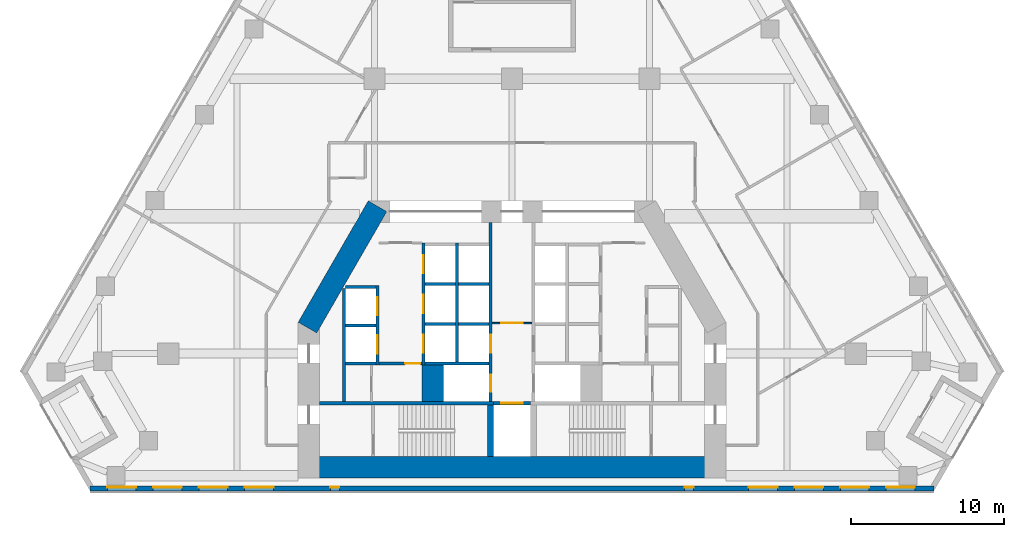
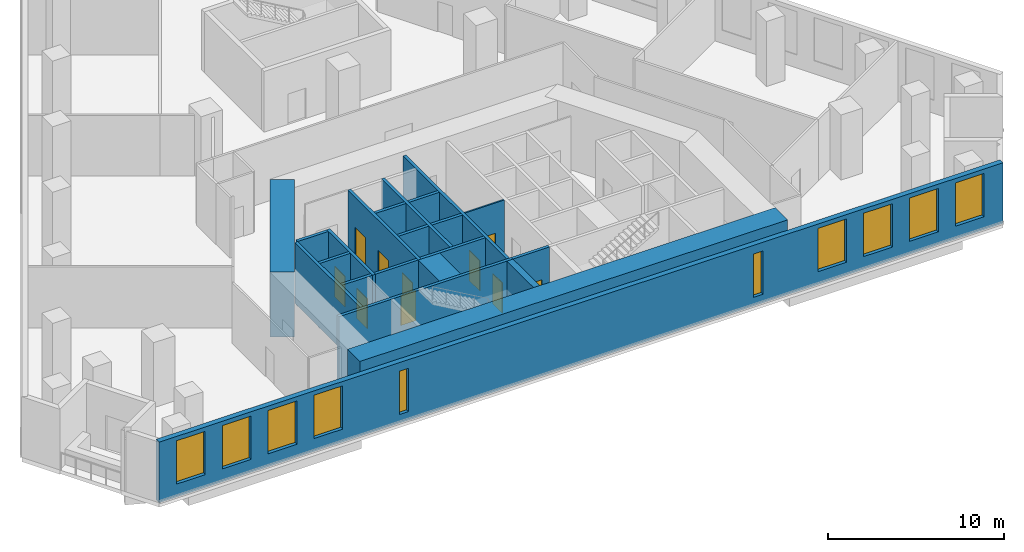
# One storey, part 4 of 10: 22 walls, 10 doors, 10 windows, 20 openings.
"""IFC4 building model written with IfcOpenShell, lengths in metres."""

from ifc_helpers import new_model, si_unit, direction, frame, frame_2d, origin, place, context, subcontext, project, spatial, rectangle, extrude, material, layer, layer_set, type_object, element, fill, save


model = new_model("IFC4")

# Units and contexts
model_context = context("Model", 3, precision=1e-05, world=origin(), true_north=direction((0.0, 1.0)))
body_context = subcontext(model_context, "Body", "Model", "MODEL_VIEW")
ifc_project = project(units=[si_unit("LENGTHUNIT", "METRE"), si_unit("AREAUNIT", "SQUARE_METRE"), si_unit("VOLUMEUNIT", "CUBIC_METRE"), si_unit("PLANEANGLEUNIT", "RADIAN"), si_unit("MASSUNIT", "GRAM", prefix="KILO")], contexts=[model_context])

# Site, building, storey
site_placement = place(None, origin())
site = spatial("IfcSite", under=ifc_project, at=site_placement, CompositionType="ELEMENT")
building_placement = place(site_placement, origin())
building = spatial("IfcBuilding", under=site, at=building_placement, Name="Fogline Exchange Tower", CompositionType="ELEMENT")
storey_placement = place(building_placement, frame((0.0, 0.0, 38.5)))
storey = spatial("IfcBuildingStorey", under=building, at=storey_placement, Name="L07", CompositionType="ELEMENT", Elevation=38.5)

# Wall, opening, door
ifc_material_1 = material(Name="Blockwork partition", Category="masonry")
ifc_layer_1 = layer(ifc_material_1, 0.10009765625)
ifc_layer_set_1 = layer_set([ifc_layer_1], Name="CW10")
wall_type_1 = type_object("IfcWallType", Name="CW10", PredefinedType="PARTITIONING", material=ifc_layer_set_1)
wall_1_placement = place(storey_placement, frame((-1.300048828125, 11.0, 0.0), z_axis=(0.0, 0.0, 1.0), x_axis=(1.0, 0.0, 0.0)))
wall_1 = element("IfcWall", 1, at=wall_1_placement, inside=storey, type_object=wall_type_1, Name="Lift lobby partition", PredefinedType="PARTITIONING", context=body_context, shape_type="SweptSolid", body=[
    extrude(rectangle(XDim=2.60009765625, YDim=0.10009765625, at=frame_2d((1.300048828125, 0.0))), origin(), (0.0, 0.0, 1.0), 4.199951171875),
])
opening_1_placement = place(wall_1_placement, frame((0.60009765625, 0.0, 0.0)))
opening_1 = element("IfcOpeningElement", 2, at=opening_1_placement, cuts=wall_1, Name="Opening T02-C019", PredefinedType="OPENING", context=body_context, shape_type="SweptSolid", body=[
    extrude(rectangle(XDim=1.39990234375, YDim=2.10009765625, at=frame_2d((0.699951171875, 1.050048828125))), frame((0.0, 0.06005859375, 0.0), z_axis=(0.0, -1.0, 0.0), x_axis=(1.0, 0.0, 0.0)), (0.0, 0.0, 1.0), 0.1201171875),
])
ifc_material_2 = material(Name="Steel and timber fire door", Category="steel")
door_type_1 = type_object("IfcDoorType", Name="D-LB1", OperationType="DOUBLE_DOOR_SINGLE_SWING", PredefinedType="DOOR", material=ifc_material_2)
door_1_placement = place(opening_1_placement, frame((1.39990234375, 0.0, 0.0), z_axis=(0.0, 0.0, 1.0), x_axis=(-1.0, 0.0, 0.0)))
door_1 = element("IfcDoor", 3, at=door_1_placement, inside=storey, type_object=door_type_1, Name="Door to firefighting lift lobby", OperationType="DOUBLE_DOOR_SINGLE_SWING", OverallHeight=2.10009765625, OverallWidth=1.39990234375, PredefinedType="DOOR", context=body_context, shape_type="SweptSolid", body=[
    extrude(rectangle(XDim=1.39990234375, YDim=2.10009765625, at=frame_2d((0.699951171875, 1.050048828125))), frame((0.0, 0.02490234375, 0.0), z_axis=(0.0, -1.0, 0.0), x_axis=(1.0, 0.0, 0.0)), (0.0, 0.0, 1.0), 0.050048828125),
])
fill(opening_1, door_1)

# Walls
ifc_material_3 = material(Name="Concrete C60", Category="concrete")
ifc_layer_2 = layer(ifc_material_3, 1.39990234375)
ifc_layer_set_2 = layer_set([ifc_layer_2], Name="CW140")
wall_type_2 = type_object("IfcWallType", Name="CW140", PredefinedType="SOLIDWALL", material=ifc_layer_set_2)
wall_2_placement = place(storey_placement, frame((-5.199951171875, 5.85009765625, -0.300048828125), z_axis=(0.0, 0.0, 1.0), x_axis=(0.0, 1.0, 0.0)))
element("IfcWall", 4, at=wall_2_placement, inside=storey, type_object=wall_type_2, Name="Lift shaft block wall", PredefinedType="SOLIDWALL", context=body_context, shape_type="SweptSolid", body=[
    extrude(rectangle(XDim=2.39990234375, YDim=1.39990234375, at=frame_2d((1.199951171875, 0.0))), origin(), (0.0, 0.0, 1.0), 4.5),
])
ifc_material_4 = material(Name="Concrete C40", Category="concrete")
ifc_layer_3 = layer(ifc_material_4, 0.199951171875)
ifc_layer_set_3 = layer_set([ifc_layer_3], Name="CW20")
wall_type_3 = type_object("IfcWallType", Name="CW20", PredefinedType="SOLIDWALL", material=ifc_layer_set_3)
wall_3_placement = place(storey_placement, frame((-11.0, 5.85009765625, 0.0), z_axis=(0.0, 0.0, 1.0), x_axis=(0.0, 1.0, 0.0)))
element("IfcWall", 5, at=wall_3_placement, inside=storey, type_object=wall_type_3, Name="Service room wall", PredefinedType="SOLIDWALL", context=body_context, shape_type="SweptSolid", body=[
    extrude(rectangle(XDim=7.39990234375, YDim=0.199951171875, at=frame_2d((3.699951171875, 0.0))), origin(), (0.0, 0.0, 1.0), 4.199951171875),
])

# Wall, opening, door
wall_4_placement = place(storey_placement, frame((-8.699951171875, 8.35009765625, 0.0), z_axis=(0.0, 0.0, 1.0), x_axis=(1.0, 0.0, 0.0)))
wall_4 = element("IfcWall", 6, at=wall_4_placement, inside=storey, type_object=wall_type_3, Name="WC wall", PredefinedType="SOLIDWALL", context=body_context, shape_type="SweptSolid", body=[
    extrude(rectangle(XDim=2.800048828125, YDim=0.199951171875, at=frame_2d((1.39990234375, 0.0))), origin(), (0.0, 0.0, 1.0), 4.199951171875),
])
opening_2_placement = place(wall_4_placement, frame((1.699951171875, 0.0, 0.0)))
opening_2 = element("IfcOpeningElement", 7, at=opening_2_placement, cuts=wall_4, Name="Opening T02-C008", PredefinedType="OPENING", context=body_context, shape_type="SweptSolid", body=[
    extrude(rectangle(XDim=1.0, YDim=2.10009765625, at=frame_2d((0.5, 1.050048828125))), frame((0.0, 0.10986328125, 0.0), z_axis=(0.0, -1.0, 0.0), x_axis=(1.0, 0.0, 0.0)), (0.0, 0.0, 1.0), 0.219970703125),
])
door_type_2 = type_object("IfcDoorType", Name="D-WC1", OperationType="SINGLE_SWING_LEFT", PredefinedType="DOOR", material=ifc_material_2)
door_2_placement = place(opening_2_placement, frame((1.0, 0.0, 0.0), z_axis=(0.0, 0.0, 1.0), x_axis=(-1.0, 0.0, 0.0)))
door_2 = element("IfcDoor", 8, at=door_2_placement, inside=storey, type_object=door_type_2, Name="Door to Men's WC", OperationType="SINGLE_SWING_LEFT", OverallHeight=2.10009765625, OverallWidth=1.0, PredefinedType="DOOR", context=body_context, shape_type="SweptSolid", body=[
    extrude(rectangle(XDim=1.0, YDim=2.10009765625, at=frame_2d((0.5, 1.050048828125))), frame((0.0, 0.02490234375, 0.0), z_axis=(0.0, -1.0, 0.0), x_axis=(1.0, 0.0, 0.0)), (0.0, 0.0, 1.0), 0.050048828125),
])
fill(opening_2, door_2)

# Wall
ifc_layer_4 = layer(ifc_material_4, 0.199951171875)
ifc_layer_set_4 = layer_set([ifc_layer_4], Name="CW20R")
wall_type_4 = type_object("IfcWallType", Name="CW20R", PredefinedType="SOLIDWALL", material=ifc_layer_set_4)
wall_5_placement = place(storey_placement, frame((-12.60009765625, 5.75, -0.300048828125), z_axis=(0.0, 0.0, 1.0), x_axis=(1.0, 0.0, 0.0)))
element("IfcWall", 9, at=wall_5_placement, inside=storey, type_object=wall_type_4, Name="Stair enclosure wall", PredefinedType="SOLIDWALL", context=body_context, shape_type="SweptSolid", body=[
    extrude(rectangle(XDim=11.400146484375, YDim=0.199951171875, at=frame_2d((5.7001953125, 0.0))), origin(), (0.0, 0.0, 1.0), 4.5),
])

# Wall, opening, door
wall_6_placement = place(storey_placement, frame((-1.199951171875, 5.75, -0.300048828125), z_axis=(0.0, 0.0, 1.0), x_axis=(1.0, 0.0, 0.0)))
wall_6 = element("IfcWall", 10, at=wall_6_placement, inside=storey, type_object=wall_type_4, Name="Stair enclosure wall", PredefinedType="SOLIDWALL", context=body_context, shape_type="SweptSolid", body=[
    extrude(rectangle(XDim=2.39990234375, YDim=0.199951171875, at=frame_2d((1.199951171875, 0.0))), origin(), (0.0, 0.0, 1.0), 4.5),
])
opening_3_placement = place(wall_6_placement, frame((0.5, 0.0, 0.300048828125)))
opening_3 = element("IfcOpeningElement", 11, at=opening_3_placement, cuts=wall_6, Name="Opening T02-LD09", PredefinedType="OPENING", context=body_context, shape_type="SweptSolid", body=[
    extrude(rectangle(XDim=1.39990234375, YDim=2.10009765625, at=frame_2d((0.699951171875, 1.050048828125))), frame((0.0, 0.10986328125, 0.0), z_axis=(0.0, -1.0, 0.0), x_axis=(1.0, 0.0, 0.0)), (0.0, 0.0, 1.0), 0.219970703125),
])
door_type_3 = type_object("IfcDoorType", Name="LD3", OperationType="SLIDING_TO_LEFT", PredefinedType="DOOR", material=ifc_material_2)
door_3_placement = place(opening_3_placement, origin())
door_3 = element("IfcDoor", 12, at=door_3_placement, inside=storey, type_object=door_type_3, Name="Landing door GL1", OperationType="SLIDING_TO_LEFT", OverallHeight=2.10009765625, OverallWidth=1.39990234375, PredefinedType="DOOR", context=body_context, shape_type="SweptSolid", body=[
    extrude(rectangle(XDim=1.39990234375, YDim=2.10009765625, at=frame_2d((0.699951171875, 1.050048828125))), frame((0.0, 0.02490234375, 0.0), z_axis=(0.0, -1.0, 0.0), x_axis=(1.0, 0.0, 0.0)), (0.0, 0.0, 1.0), 0.050048828125),
])
fill(opening_3, door_3)

# Wall, openings, doors
ifc_layer_5 = layer(ifc_material_4, 0.199951171875)
ifc_layer_set_5 = layer_set([ifc_layer_5], Name="CW20S")
wall_type_5 = type_object("IfcWallType", Name="CW20S", PredefinedType="SOLIDWALL", material=ifc_layer_set_5)
wall_7_placement = place(storey_placement, frame((-8.800048828125, 8.25, -0.300048828125), z_axis=(0.0, 0.0, 1.0), x_axis=(0.0, 1.0, 0.0)))
wall_7 = element("IfcWall", 13, at=wall_7_placement, inside=storey, type_object=wall_type_5, Name="Lift shaft wall", PredefinedType="SOLIDWALL", context=body_context, shape_type="SweptSolid", body=[
    extrude(rectangle(XDim=5.199951171875, YDim=0.199951171875, at=frame_2d((2.60009765625, 0.0))), origin(), (0.0, 0.0, 1.0), 4.5),
])
opening_4_placement = place(wall_7_placement, frame((0.75, 0.0, 0.300048828125)))
opening_4 = element("IfcOpeningElement", 14, at=opening_4_placement, cuts=wall_7, Name="Opening T02-LD01", PredefinedType="OPENING", context=body_context, shape_type="SweptSolid", body=[
    extrude(rectangle(XDim=1.199951171875, YDim=2.10009765625, at=frame_2d((0.60009765625, 1.050048828125))), frame((0.0, 0.10986328125, 0.0), z_axis=(0.0, -1.0, 0.0), x_axis=(1.0, 0.0, 0.0)), (0.0, 0.0, 1.0), 0.219970703125),
])
opening_5_placement = place(wall_7_placement, frame((3.25, 0.0, 0.300048828125)))
opening_5 = element("IfcOpeningElement", 15, at=opening_5_placement, cuts=wall_7, Name="Opening T02-LD02", PredefinedType="OPENING", context=body_context, shape_type="SweptSolid", body=[
    extrude(rectangle(XDim=1.199951171875, YDim=2.10009765625, at=frame_2d((0.60009765625, 1.050048828125))), frame((0.0, 0.10986328125, 0.0), z_axis=(0.0, -1.0, 0.0), x_axis=(1.0, 0.0, 0.0)), (0.0, 0.0, 1.0), 0.219970703125),
])
door_type_4 = type_object("IfcDoorType", Name="LD1", OperationType="SLIDING_TO_LEFT", PredefinedType="DOOR", material=ifc_material_2)
door_4_placement = place(opening_4_placement, origin())
door_4 = element("IfcDoor", 16, at=door_4_placement, inside=storey, type_object=door_type_4, Name="Landing door LR1", OperationType="SLIDING_TO_LEFT", OverallHeight=2.10009765625, OverallWidth=1.199951171875, PredefinedType="DOOR", context=body_context, shape_type="SweptSolid", body=[
    extrude(rectangle(XDim=1.199951171875, YDim=2.10009765625, at=frame_2d((0.60009765625, 1.050048828125))), frame((0.0, 0.02490234375, 0.0), z_axis=(0.0, -1.0, 0.0), x_axis=(1.0, 0.0, 0.0)), (0.0, 0.0, 1.0), 0.050048828125),
])
fill(opening_4, door_4)
door_5_placement = place(opening_5_placement, origin())
door_5 = element("IfcDoor", 17, at=door_5_placement, inside=storey, type_object=door_type_4, Name="Landing door LR2", OperationType="SLIDING_TO_LEFT", OverallHeight=2.10009765625, OverallWidth=1.199951171875, PredefinedType="DOOR", context=body_context, shape_type="SweptSolid", body=[
    extrude(rectangle(XDim=1.199951171875, YDim=2.10009765625, at=frame_2d((0.60009765625, 1.050048828125))), frame((0.0, 0.02490234375, 0.0), z_axis=(0.0, -1.0, 0.0), x_axis=(1.0, 0.0, 0.0)), (0.0, 0.0, 1.0), 0.050048828125),
])
fill(opening_5, door_5)

wall_8_placement = place(storey_placement, frame((-5.800048828125, 8.25, -0.300048828125), z_axis=(0.0, 0.0, 1.0), x_axis=(0.0, 1.0, 0.0)))
wall_8 = element("IfcWall", 18, at=wall_8_placement, inside=storey, type_object=wall_type_5, Name="Lift shaft wall", PredefinedType="SOLIDWALL", context=body_context, shape_type="SweptSolid", body=[
    extrude(rectangle(XDim=8.0, YDim=0.199951171875, at=frame_2d((4.0, 0.0))), origin(), (0.0, 0.0, 1.0), 4.5),
])
opening_6_placement = place(wall_8_placement, frame((0.800048828125, 0.0, 0.300048828125)))
opening_6 = element("IfcOpeningElement", 19, at=opening_6_placement, cuts=wall_8, Name="Opening T02-LD03", PredefinedType="OPENING", context=body_context, shape_type="SweptSolid", body=[
    extrude(rectangle(XDim=1.199951171875, YDim=2.10009765625, at=frame_2d((0.60009765625, 1.050048828125))), frame((0.0, 0.10986328125, 0.0), z_axis=(0.0, -1.0, 0.0), x_axis=(1.0, 0.0, 0.0)), (0.0, 0.0, 1.0), 0.219970703125),
])
opening_7_placement = place(wall_8_placement, frame((3.39990234375, 0.0, 0.300048828125)))
opening_7 = element("IfcOpeningElement", 20, at=opening_7_placement, cuts=wall_8, Name="Opening T02-LD04", PredefinedType="OPENING", context=body_context, shape_type="SweptSolid", body=[
    extrude(rectangle(XDim=1.199951171875, YDim=2.10009765625, at=frame_2d((0.60009765625, 1.050048828125))), frame((0.0, 0.10986328125, 0.0), z_axis=(0.0, -1.0, 0.0), x_axis=(1.0, 0.0, 0.0)), (0.0, 0.0, 1.0), 0.219970703125),
])
opening_8_placement = place(wall_8_placement, frame((6.0, 0.0, 0.300048828125)))
opening_8 = element("IfcOpeningElement", 21, at=opening_8_placement, cuts=wall_8, Name="Opening T02-LD05", PredefinedType="OPENING", context=body_context, shape_type="SweptSolid", body=[
    extrude(rectangle(XDim=1.199951171875, YDim=2.10009765625, at=frame_2d((0.60009765625, 1.050048828125))), frame((0.0, 0.10986328125, 0.0), z_axis=(0.0, -1.0, 0.0), x_axis=(1.0, 0.0, 0.0)), (0.0, 0.0, 1.0), 0.219970703125),
])
door_6_placement = place(opening_6_placement, origin())
door_6 = element("IfcDoor", 22, at=door_6_placement, inside=storey, type_object=door_type_4, Name="Landing door LR3", OperationType="SLIDING_TO_LEFT", OverallHeight=2.10009765625, OverallWidth=1.199951171875, PredefinedType="DOOR", context=body_context, shape_type="SweptSolid", body=[
    extrude(rectangle(XDim=1.199951171875, YDim=2.10009765625, at=frame_2d((0.60009765625, 1.050048828125))), frame((0.0, 0.02490234375, 0.0), z_axis=(0.0, -1.0, 0.0), x_axis=(1.0, 0.0, 0.0)), (0.0, 0.0, 1.0), 0.050048828125),
])
fill(opening_6, door_6)
door_7_placement = place(opening_7_placement, origin())
door_7 = element("IfcDoor", 23, at=door_7_placement, inside=storey, type_object=door_type_4, Name="Landing door LR4", OperationType="SLIDING_TO_LEFT", OverallHeight=2.10009765625, OverallWidth=1.199951171875, PredefinedType="DOOR", context=body_context, shape_type="SweptSolid", body=[
    extrude(rectangle(XDim=1.199951171875, YDim=2.10009765625, at=frame_2d((0.60009765625, 1.050048828125))), frame((0.0, 0.02490234375, 0.0), z_axis=(0.0, -1.0, 0.0), x_axis=(1.0, 0.0, 0.0)), (0.0, 0.0, 1.0), 0.050048828125),
])
fill(opening_7, door_7)
door_8_placement = place(opening_8_placement, origin())
door_8 = element("IfcDoor", 24, at=door_8_placement, inside=storey, type_object=door_type_4, Name="Landing door LR5", OperationType="SLIDING_TO_LEFT", OverallHeight=2.10009765625, OverallWidth=1.199951171875, PredefinedType="DOOR", context=body_context, shape_type="SweptSolid", body=[
    extrude(rectangle(XDim=1.199951171875, YDim=2.10009765625, at=frame_2d((0.60009765625, 1.050048828125))), frame((0.0, 0.02490234375, 0.0), z_axis=(0.0, -1.0, 0.0), x_axis=(1.0, 0.0, 0.0)), (0.0, 0.0, 1.0), 0.050048828125),
])
fill(opening_8, door_8)

# Wall
wall_9_placement = place(storey_placement, frame((-3.60009765625, 8.449951171875, -0.300048828125), z_axis=(0.0, 0.0, 1.0), x_axis=(0.0, 1.0, 0.0)))
element("IfcWall", 25, at=wall_9_placement, inside=storey, type_object=wall_type_5, Name="Lift shaft wall", PredefinedType="SOLIDWALL", context=body_context, shape_type="SweptSolid", body=[
    extrude(rectangle(XDim=7.800048828125, YDim=0.199951171875, at=frame_2d((3.89990234375, 0.0))), origin(), (0.0, 0.0, 1.0), 4.5),
])

# Wall, openings, doors
wall_10_placement = place(storey_placement, frame((-1.39990234375, 5.85009765625, -0.300048828125), z_axis=(0.0, 0.0, 1.0), x_axis=(0.0, 1.0, 0.0)))
wall_10 = element("IfcWall", 26, at=wall_10_placement, inside=storey, type_object=wall_type_5, Name="Lift lobby wall", PredefinedType="SOLIDWALL", context=body_context, shape_type="SweptSolid", body=[
    extrude(rectangle(XDim=11.75, YDim=0.199951171875, at=frame_2d((5.875, 0.0))), origin(), (0.0, 0.0, 1.0), 4.5),
])
opening_9_placement = place(wall_10_placement, frame((3.199951171875, 0.0, 0.300048828125)))
opening_9 = element("IfcOpeningElement", 27, at=opening_9_placement, cuts=wall_10, Name="Opening T02-LD06", PredefinedType="OPENING", context=body_context, shape_type="SweptSolid", body=[
    extrude(rectangle(XDim=1.199951171875, YDim=2.10009765625, at=frame_2d((0.60009765625, 1.050048828125))), frame((0.0, 0.10986328125, 0.0), z_axis=(0.0, -1.0, 0.0), x_axis=(1.0, 0.0, 0.0)), (0.0, 0.0, 1.0), 0.219970703125),
])
opening_10_placement = place(wall_10_placement, frame((0.64990234375, 0.0, 0.300048828125)))
opening_10 = element("IfcOpeningElement", 28, at=opening_10_placement, cuts=wall_10, Name="Opening T02-LD07", PredefinedType="OPENING", context=body_context, shape_type="SweptSolid", body=[
    extrude(rectangle(XDim=1.10009765625, YDim=2.10009765625, at=frame_2d((0.550048828125, 1.050048828125))), frame((0.0, 0.10986328125, 0.0), z_axis=(0.0, -1.0, 0.0), x_axis=(1.0, 0.0, 0.0)), (0.0, 0.0, 1.0), 0.219970703125),
])
door_9_placement = place(opening_9_placement, origin())
door_9 = element("IfcDoor", 29, at=door_9_placement, inside=storey, type_object=door_type_4, Name="Landing door LR6", OperationType="SLIDING_TO_LEFT", OverallHeight=2.10009765625, OverallWidth=1.199951171875, PredefinedType="DOOR", context=body_context, shape_type="SweptSolid", body=[
    extrude(rectangle(XDim=1.199951171875, YDim=2.10009765625, at=frame_2d((0.60009765625, 1.050048828125))), frame((0.0, 0.02490234375, 0.0), z_axis=(0.0, -1.0, 0.0), x_axis=(1.0, 0.0, 0.0)), (0.0, 0.0, 1.0), 0.050048828125),
])
fill(opening_9, door_9)
door_type_5 = type_object("IfcDoorType", Name="LD2", OperationType="SLIDING_TO_RIGHT", PredefinedType="DOOR", material=ifc_material_2)
door_10_placement = place(opening_10_placement, origin())
door_10 = element("IfcDoor", 30, at=door_10_placement, inside=storey, type_object=door_type_5, Name="Landing door FF1", OperationType="SLIDING_TO_RIGHT", OverallHeight=2.10009765625, OverallWidth=1.10009765625, PredefinedType="DOOR", context=body_context, shape_type="SweptSolid", body=[
    extrude(rectangle(XDim=1.10009765625, YDim=2.10009765625, at=frame_2d((0.550048828125, 1.050048828125))), frame((0.0, 0.02490234375, 0.0), z_axis=(0.0, -1.0, 0.0), x_axis=(1.0, 0.0, 0.0)), (0.0, 0.0, 1.0), 0.050048828125),
])
fill(opening_10, door_10)

# Walls
wall_11_placement = place(storey_placement, frame((-10.89990234375, 8.35009765625, -0.300048828125), z_axis=(0.0, 0.0, 1.0), x_axis=(1.0, 0.0, 0.0)))
element("IfcWall", 31, at=wall_11_placement, inside=storey, type_object=wall_type_5, Name="Lift shaft wall", PredefinedType="SOLIDWALL", context=body_context, shape_type="SweptSolid", body=[
    extrude(rectangle(XDim=2.0, YDim=0.199951171875, at=frame_2d((1.0, 0.0))), origin(), (0.0, 0.0, 1.0), 4.5),
])
wall_12_placement = place(storey_placement, frame((-5.699951171875, 8.35009765625, -0.300048828125), z_axis=(0.0, 0.0, 1.0), x_axis=(1.0, 0.0, 0.0)))
element("IfcWall", 32, at=wall_12_placement, inside=storey, type_object=wall_type_5, Name="Lift shaft wall", PredefinedType="SOLIDWALL", context=body_context, shape_type="SweptSolid", body=[
    extrude(rectangle(XDim=4.199951171875, YDim=0.199951171875, at=frame_2d((2.10009765625, 0.0))), origin(), (0.0, 0.0, 1.0), 4.5),
])
for number, where, z_axis, x_axis, name in (
    (33, (-10.89990234375, 10.85009765625, -0.300048828125), (0.0, 0.0, 1.0), (1.0, 0.0, 0.0), "Lift shaft wall"),
    (34, (-10.89990234375, 13.35009765625, -0.300048828125), (0.0, 0.0, 1.0), (1.0, 0.0, 0.0), "Lift shaft wall"),
    (35, (-5.699951171875, 10.949951171875, -0.300048828125), (0.0, 0.0, 1.0), (1.0, 0.0, 0.0), "Lift shaft wall"),
    (36, (-5.699951171875, 13.550048828125, -0.300048828125), (0.0, 0.0, 1.0), (1.0, 0.0, 0.0), "Lift shaft wall"),
    (37, (-3.5, 10.949951171875, -0.300048828125), (0.0, 0.0, 1.0), (1.0, 0.0, 0.0), "Lift shaft wall"),
    (38, (-3.5, 13.550048828125, -0.300048828125), (0.0, 0.0, 1.0), (1.0, 0.0, 0.0), "Lift shaft wall"),
):
    element("IfcWall", number, at=place(storey_placement, frame(where, z_axis=z_axis, x_axis=x_axis)), inside=storey, type_object=wall_type_5, Name=name, PredefinedType="SOLIDWALL", context=body_context, shape_type="SweptSolid", body=[
        extrude(rectangle(XDim=2.0, YDim=0.199951171875, at=frame_2d((1.0, 0.0))), origin(), (0.0, 0.0, 1.0), 4.5),
    ])
ifc_layer_6 = layer(ifc_material_4, 0.39990234375)
ifc_layer_set_6 = layer_set([ifc_layer_6], Name="CW40R")
wall_type_6 = type_object("IfcWallType", Name="CW40R", PredefinedType="SOLIDWALL", material=ifc_layer_set_6)
wall_13_placement = place(storey_placement, frame((-1.39990234375, 2.25, -0.300048828125), z_axis=(0.0, 0.0, 1.0), x_axis=(0.0, 1.0, 0.0)))
element("IfcWall", 39, at=wall_13_placement, inside=storey, type_object=wall_type_6, Name="Stair and lift shaft wall", PredefinedType="SOLIDWALL", context=body_context, shape_type="SweptSolid", body=[
    extrude(rectangle(XDim=3.39990234375, YDim=0.39990234375, at=frame_2d((1.699951171875, 0.0))), origin(), (0.0, 0.0, 1.0), 4.5),
])

# Wall, openings, windows
ifc_material_5 = material(Name="Brick masonry", Category="masonry")
ifc_layer_7 = layer(ifc_material_5, 0.340087890625)
ifc_layer_set_7 = layer_set([ifc_layer_7], Name="FW1")
wall_type_7 = type_object("IfcWallType", Name="FW1", PredefinedType="SOLIDWALL", material=ifc_layer_set_7)
wall_14_placement = place(storey_placement, frame((-27.627685546875, 0.169921875, 0.0), z_axis=(0.0, 0.0, 1.0), x_axis=(1.0, 0.0, 0.0)))
wall_14 = element("IfcWall", 40, at=wall_14_placement, inside=storey, type_object=wall_type_7, Name="Brick wall L07 S", PredefinedType="SOLIDWALL", context=body_context, shape_type="SweptSolid", body=[
    extrude(rectangle(XDim=55.25537109375, YDim=0.340087890625, at=frame_2d((27.627685546875, 0.0))), origin(), (0.0, 0.0, 1.0), 4.199951171875),
])
opening_11_placement = place(wall_14_placement, frame((1.127685546875, 0.0, 0.89990234375)))
opening_11 = element("IfcOpeningElement", 41, at=opening_11_placement, cuts=wall_14, Name="Opening W2", PredefinedType="OPENING", context=body_context, shape_type="SweptSolid", body=[
    extrude(rectangle(XDim=1.885009765625, YDim=3.0, at=frame_2d((0.9423828125, 1.5))), frame((0.0, 0.18017578125, 0.0), z_axis=(0.0, -1.0, 0.0), x_axis=(1.0, 0.0, 0.0)), (0.0, 0.0, 1.0), 0.360107421875),
])
opening_12_placement = place(wall_14_placement, frame((4.127685546875, 0.0, 0.89990234375)))
opening_12 = element("IfcOpeningElement", 42, at=opening_12_placement, cuts=wall_14, Name="Opening W2", PredefinedType="OPENING", context=body_context, shape_type="SweptSolid", body=[
    extrude(rectangle(XDim=1.885009765625, YDim=3.0, at=frame_2d((0.9423828125, 1.5))), frame((0.0, 0.18017578125, 0.0), z_axis=(0.0, -1.0, 0.0), x_axis=(1.0, 0.0, 0.0)), (0.0, 0.0, 1.0), 0.360107421875),
])
opening_13_placement = place(wall_14_placement, frame((7.127685546875, 0.0, 0.89990234375)))
opening_13 = element("IfcOpeningElement", 43, at=opening_13_placement, cuts=wall_14, Name="Opening W2", PredefinedType="OPENING", context=body_context, shape_type="SweptSolid", body=[
    extrude(rectangle(XDim=1.885009765625, YDim=3.0, at=frame_2d((0.9423828125, 1.5))), frame((0.0, 0.18017578125, 0.0), z_axis=(0.0, -1.0, 0.0), x_axis=(1.0, 0.0, 0.0)), (0.0, 0.0, 1.0), 0.360107421875),
])
opening_14_placement = place(wall_14_placement, frame((10.127685546875, 0.0, 0.89990234375)))
opening_14 = element("IfcOpeningElement", 44, at=opening_14_placement, cuts=wall_14, Name="Opening W2", PredefinedType="OPENING", context=body_context, shape_type="SweptSolid", body=[
    extrude(rectangle(XDim=1.885009765625, YDim=3.0, at=frame_2d((0.9423828125, 1.5))), frame((0.0, 0.18017578125, 0.0), z_axis=(0.0, -1.0, 0.0), x_axis=(1.0, 0.0, 0.0)), (0.0, 0.0, 1.0), 0.360107421875),
])
opening_15_placement = place(wall_14_placement, frame((43.127685546875, 0.0, 0.89990234375)))
opening_15 = element("IfcOpeningElement", 45, at=opening_15_placement, cuts=wall_14, Name="Opening W2", PredefinedType="OPENING", context=body_context, shape_type="SweptSolid", body=[
    extrude(rectangle(XDim=1.885009765625, YDim=3.0, at=frame_2d((0.9423828125, 1.5))), frame((0.0, 0.18017578125, 0.0), z_axis=(0.0, -1.0, 0.0), x_axis=(1.0, 0.0, 0.0)), (0.0, 0.0, 1.0), 0.360107421875),
])
opening_16_placement = place(wall_14_placement, frame((46.127685546875, 0.0, 0.89990234375)))
opening_16 = element("IfcOpeningElement", 46, at=opening_16_placement, cuts=wall_14, Name="Opening W2", PredefinedType="OPENING", context=body_context, shape_type="SweptSolid", body=[
    extrude(rectangle(XDim=1.885009765625, YDim=3.0, at=frame_2d((0.9423828125, 1.5))), frame((0.0, 0.18017578125, 0.0), z_axis=(0.0, -1.0, 0.0), x_axis=(1.0, 0.0, 0.0)), (0.0, 0.0, 1.0), 0.360107421875),
])
opening_17_placement = place(wall_14_placement, frame((49.127685546875, 0.0, 0.89990234375)))
opening_17 = element("IfcOpeningElement", 47, at=opening_17_placement, cuts=wall_14, Name="Opening W2", PredefinedType="OPENING", context=body_context, shape_type="SweptSolid", body=[
    extrude(rectangle(XDim=1.885009765625, YDim=3.0, at=frame_2d((0.9423828125, 1.5))), frame((0.0, 0.18017578125, 0.0), z_axis=(0.0, -1.0, 0.0), x_axis=(1.0, 0.0, 0.0)), (0.0, 0.0, 1.0), 0.360107421875),
])
opening_18_placement = place(wall_14_placement, frame((52.127685546875, 0.0, 0.89990234375)))
opening_18 = element("IfcOpeningElement", 48, at=opening_18_placement, cuts=wall_14, Name="Opening W2", PredefinedType="OPENING", context=body_context, shape_type="SweptSolid", body=[
    extrude(rectangle(XDim=1.885009765625, YDim=3.0, at=frame_2d((0.9423828125, 1.5))), frame((0.0, 0.18017578125, 0.0), z_axis=(0.0, -1.0, 0.0), x_axis=(1.0, 0.0, 0.0)), (0.0, 0.0, 1.0), 0.360107421875),
])
opening_19_placement = place(wall_14_placement, frame((15.7275390625, 0.0, 0.60009765625)))
opening_19 = element("IfcOpeningElement", 49, at=opening_19_placement, cuts=wall_14, Name="Opening W5", PredefinedType="OPENING", context=body_context, shape_type="SweptSolid", body=[
    extrude(rectangle(XDim=0.60009765625, YDim=3.0, at=frame_2d((0.300048828125, 1.5))), frame((0.0, 0.18017578125, 0.0), z_axis=(0.0, -1.0, 0.0), x_axis=(1.0, 0.0, 0.0)), (0.0, 0.0, 1.0), 0.360107421875),
])
opening_20_placement = place(wall_14_placement, frame((38.927490234375, 0.0, 0.60009765625)))
opening_20 = element("IfcOpeningElement", 50, at=opening_20_placement, cuts=wall_14, Name="Opening W5", PredefinedType="OPENING", context=body_context, shape_type="SweptSolid", body=[
    extrude(rectangle(XDim=0.60009765625, YDim=3.0, at=frame_2d((0.300048828125, 1.5))), frame((0.0, 0.18017578125, 0.0), z_axis=(0.0, -1.0, 0.0), x_axis=(1.0, 0.0, 0.0)), (0.0, 0.0, 1.0), 0.360107421875),
])
ifc_material_6 = material(Name="Aluminium and glass", Category="aluminium")
window_type_1 = type_object("IfcWindowType", Name="W2", PartitioningType="SINGLE_PANEL", PredefinedType="WINDOW", material=ifc_material_6)
window_1_placement = place(opening_11_placement, origin())
window_1 = element("IfcWindow", 51, at=window_1_placement, inside=storey, type_object=window_type_1, Name="W2 W2", OverallHeight=3.0, OverallWidth=1.885009765625, PartitioningType="SINGLE_PANEL", PredefinedType="WINDOW", context=body_context, shape_type="SweptSolid", body=[
    extrude(rectangle(XDim=1.885009765625, YDim=3.0, at=frame_2d((0.9423828125, 1.5))), frame((0.0, 0.110107421875, 0.0), z_axis=(0.0, -1.0, 0.0), x_axis=(1.0, 0.0, 0.0)), (0.0, 0.0, 1.0), 0.06005859375),
])
fill(opening_11, window_1)
window_2_placement = place(opening_12_placement, origin())
window_2 = element("IfcWindow", 52, at=window_2_placement, inside=storey, type_object=window_type_1, Name="W2 W2", OverallHeight=3.0, OverallWidth=1.885009765625, PartitioningType="SINGLE_PANEL", PredefinedType="WINDOW", context=body_context, shape_type="SweptSolid", body=[
    extrude(rectangle(XDim=1.885009765625, YDim=3.0, at=frame_2d((0.9423828125, 1.5))), frame((0.0, 0.110107421875, 0.0), z_axis=(0.0, -1.0, 0.0), x_axis=(1.0, 0.0, 0.0)), (0.0, 0.0, 1.0), 0.06005859375),
])
fill(opening_12, window_2)
window_3_placement = place(opening_13_placement, origin())
window_3 = element("IfcWindow", 53, at=window_3_placement, inside=storey, type_object=window_type_1, Name="W2 W2", OverallHeight=3.0, OverallWidth=1.885009765625, PartitioningType="SINGLE_PANEL", PredefinedType="WINDOW", context=body_context, shape_type="SweptSolid", body=[
    extrude(rectangle(XDim=1.885009765625, YDim=3.0, at=frame_2d((0.9423828125, 1.5))), frame((0.0, 0.110107421875, 0.0), z_axis=(0.0, -1.0, 0.0), x_axis=(1.0, 0.0, 0.0)), (0.0, 0.0, 1.0), 0.06005859375),
])
fill(opening_13, window_3)
window_4_placement = place(opening_14_placement, origin())
window_4 = element("IfcWindow", 54, at=window_4_placement, inside=storey, type_object=window_type_1, Name="W2 W2", OverallHeight=3.0, OverallWidth=1.885009765625, PartitioningType="SINGLE_PANEL", PredefinedType="WINDOW", context=body_context, shape_type="SweptSolid", body=[
    extrude(rectangle(XDim=1.885009765625, YDim=3.0, at=frame_2d((0.9423828125, 1.5))), frame((0.0, 0.110107421875, 0.0), z_axis=(0.0, -1.0, 0.0), x_axis=(1.0, 0.0, 0.0)), (0.0, 0.0, 1.0), 0.06005859375),
])
fill(opening_14, window_4)
window_5_placement = place(opening_15_placement, origin())
window_5 = element("IfcWindow", 55, at=window_5_placement, inside=storey, type_object=window_type_1, Name="W2 W2", OverallHeight=3.0, OverallWidth=1.885009765625, PartitioningType="SINGLE_PANEL", PredefinedType="WINDOW", context=body_context, shape_type="SweptSolid", body=[
    extrude(rectangle(XDim=1.885009765625, YDim=3.0, at=frame_2d((0.9423828125, 1.5))), frame((0.0, 0.110107421875, 0.0), z_axis=(0.0, -1.0, 0.0), x_axis=(1.0, 0.0, 0.0)), (0.0, 0.0, 1.0), 0.06005859375),
])
fill(opening_15, window_5)
window_6_placement = place(opening_16_placement, origin())
window_6 = element("IfcWindow", 56, at=window_6_placement, inside=storey, type_object=window_type_1, Name="W2 W2", OverallHeight=3.0, OverallWidth=1.885009765625, PartitioningType="SINGLE_PANEL", PredefinedType="WINDOW", context=body_context, shape_type="SweptSolid", body=[
    extrude(rectangle(XDim=1.885009765625, YDim=3.0, at=frame_2d((0.9423828125, 1.5))), frame((0.0, 0.110107421875, 0.0), z_axis=(0.0, -1.0, 0.0), x_axis=(1.0, 0.0, 0.0)), (0.0, 0.0, 1.0), 0.06005859375),
])
fill(opening_16, window_6)
window_7_placement = place(opening_17_placement, origin())
window_7 = element("IfcWindow", 57, at=window_7_placement, inside=storey, type_object=window_type_1, Name="W2 W2", OverallHeight=3.0, OverallWidth=1.885009765625, PartitioningType="SINGLE_PANEL", PredefinedType="WINDOW", context=body_context, shape_type="SweptSolid", body=[
    extrude(rectangle(XDim=1.885009765625, YDim=3.0, at=frame_2d((0.9423828125, 1.5))), frame((0.0, 0.110107421875, 0.0), z_axis=(0.0, -1.0, 0.0), x_axis=(1.0, 0.0, 0.0)), (0.0, 0.0, 1.0), 0.06005859375),
])
fill(opening_17, window_7)
window_8_placement = place(opening_18_placement, origin())
window_8 = element("IfcWindow", 58, at=window_8_placement, inside=storey, type_object=window_type_1, Name="W2 W2", OverallHeight=3.0, OverallWidth=1.885009765625, PartitioningType="SINGLE_PANEL", PredefinedType="WINDOW", context=body_context, shape_type="SweptSolid", body=[
    extrude(rectangle(XDim=1.885009765625, YDim=3.0, at=frame_2d((0.9423828125, 1.5))), frame((0.0, 0.110107421875, 0.0), z_axis=(0.0, -1.0, 0.0), x_axis=(1.0, 0.0, 0.0)), (0.0, 0.0, 1.0), 0.06005859375),
])
fill(opening_18, window_8)
window_type_2 = type_object("IfcWindowType", Name="W5", PartitioningType="SINGLE_PANEL", PredefinedType="WINDOW", material=ifc_material_6)
window_9_placement = place(opening_19_placement, origin())
window_9 = element("IfcWindow", 59, at=window_9_placement, inside=storey, type_object=window_type_2, Name="W5 W5", OverallHeight=3.0, OverallWidth=0.60009765625, PartitioningType="SINGLE_PANEL", PredefinedType="WINDOW", context=body_context, shape_type="SweptSolid", body=[
    extrude(rectangle(XDim=0.60009765625, YDim=3.0, at=frame_2d((0.300048828125, 1.5))), frame((0.0, 0.110107421875, 0.0), z_axis=(0.0, -1.0, 0.0), x_axis=(1.0, 0.0, 0.0)), (0.0, 0.0, 1.0), 0.06005859375),
])
fill(opening_19, window_9)
window_10_placement = place(opening_20_placement, origin())
window_10 = element("IfcWindow", 60, at=window_10_placement, inside=storey, type_object=window_type_2, Name="W5 W5", OverallHeight=3.0, OverallWidth=0.60009765625, PartitioningType="SINGLE_PANEL", PredefinedType="WINDOW", context=body_context, shape_type="SweptSolid", body=[
    extrude(rectangle(XDim=0.60009765625, YDim=3.0, at=frame_2d((0.300048828125, 1.5))), frame((0.0, 0.110107421875, 0.0), z_axis=(0.0, -1.0, 0.0), x_axis=(1.0, 0.0, 0.0)), (0.0, 0.0, 1.0), 0.06005859375),
])
fill(opening_20, window_10)

# Walls
ifc_layer_8 = layer(ifc_material_3, 1.39990234375)
ifc_layer_set_8 = layer_set([ifc_layer_8], Name="SW01")
wall_type_8 = type_object("IfcWallType", Name="SW01", PredefinedType="SHEAR", material=ifc_layer_set_8)
wall_15_placement = place(storey_placement, frame((-14.0, 1.550048828125, 0.0), z_axis=(0.0, 0.0, 1.0), x_axis=(1.0, 0.0, 0.0)))
element("IfcWall", 61, at=wall_15_placement, inside=storey, type_object=wall_type_8, Name="L07-W901", PredefinedType="SHEAR", context=body_context, shape_type="SweptSolid", body=[
    extrude(rectangle(XDim=28.0, YDim=1.39990234375, at=frame_2d((14.0, 0.0))), origin(), (0.0, 0.0, 1.0), 4.5),
])
wall_16_placement = place(storey_placement, frame((-8.805419921875, 18.64990234375, 0.0), z_axis=(0.0, 0.0, 1.0), x_axis=(-0.50000187635, -0.866024320471, 0.0)))
element("IfcWall", 62, at=wall_16_placement, inside=storey, type_object=wall_type_8, Name="L07-W905", PredefinedType="SHEAR", context=body_context, shape_type="SweptSolid", body=[
    extrude(rectangle(XDim=9.1767578125, YDim=1.39990234375, at=frame_2d((4.58837890625, 0.0))), origin(), (0.0, 0.0, 1.0), 4.5),
])

save(model, "model.ifc")
